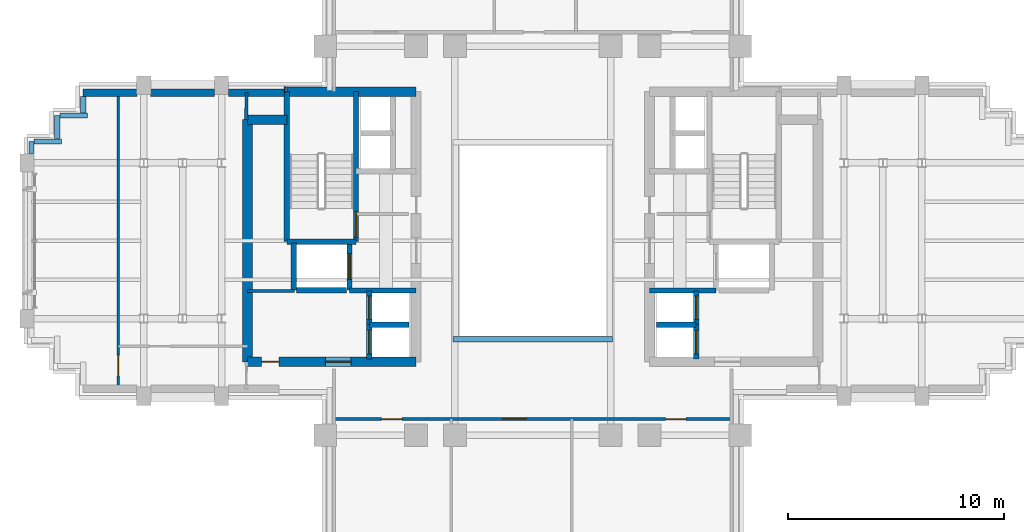
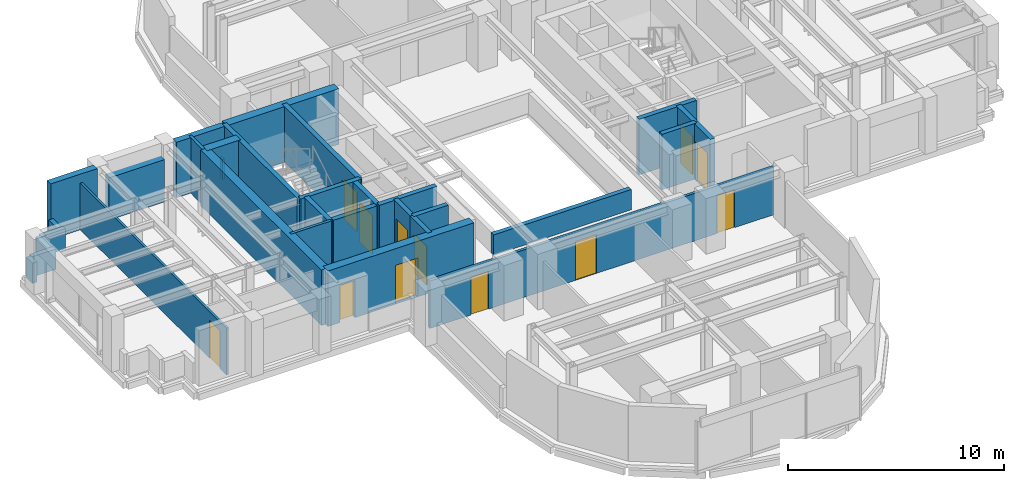
# One storey, part 8 of 13: 32 walls, 12 doors, 12 openings.
"""IFC4 building model written with IfcOpenShell, lengths in metres."""

from ifc_helpers import new_model, si_unit, direction, frame, frame_2d, origin, place, context, subcontext, project, spatial, rectangle, extrude, source, transform, mapped, material, layer, layer_set, type_object, element, fill, save


model = new_model("IFC4")

# Units and contexts
model_context = context("Model", 3, precision=1e-05, world=origin(), true_north=direction((0.0, 1.0)))
body_context = subcontext(model_context, "Body", "Model", "MODEL_VIEW")
ifc_project = project(units=[si_unit("LENGTHUNIT", "METRE"), si_unit("AREAUNIT", "SQUARE_METRE"), si_unit("VOLUMEUNIT", "CUBIC_METRE"), si_unit("PLANEANGLEUNIT", "RADIAN"), si_unit("MASSUNIT", "GRAM", prefix="KILO")], contexts=[model_context])

# Site, building, storey
site_placement = place(None, origin())
site = spatial("IfcSite", under=ifc_project, at=site_placement, CompositionType="ELEMENT")
building_placement = place(site_placement, origin())
building = spatial("IfcBuilding", under=site, at=building_placement, Name="Keilestroom Media Tower", CompositionType="ELEMENT")
storey_placement = place(building_placement, frame((0.0, 0.0, 148.199951171875)))
storey = spatial("IfcBuildingStorey", under=building, at=storey_placement, Name="L40", CompositionType="ELEMENT", Elevation=148.199951171875)

# Walls
ifc_material_1 = material(Name="Precast concrete C40/50", Category="concrete")
ifc_layer_1 = layer(ifc_material_1, 0.340087890625)
ifc_layer_set_1 = layer_set([ifc_layer_1], Name="Precast concrete C40/50")
wall_type_1 = type_object("IfcWallType", Name="Exterior-Masonry-Spandrel-Wall-340", PredefinedType="SOLIDWALL", material=ifc_layer_set_1)
wall_1_placement = place(storey_placement, frame((-20.800048828125, 6.85009765625, 0.0), z_axis=(0.0, 0.0, 1.0), x_axis=(1.0, 0.0, 0.0)))
element("IfcWall", 1, at=wall_1_placement, inside=storey, type_object=wall_type_1, Name="L40 Flank Masonry Wall EWL-L40-NW-1", PredefinedType="SOLIDWALL", context=body_context, shape_type="SweptSolid", body=[
    extrude(rectangle(XDim=2.483154296875, YDim=0.340087890625, at=frame_2d((1.24169921875, 0.0))), origin(), (0.0, 0.0, 1.0), 3.14013671875),
])
wall_2_placement = place(storey_placement, frame((-17.68310546875, 6.85009765625, 0.0), z_axis=(0.0, 0.0, 1.0), x_axis=(1.0, 0.0, 0.0)))
element("IfcWall", 2, at=wall_2_placement, inside=storey, type_object=wall_type_1, Name="L40 Flank Masonry Wall EWL-L40-NW-2", PredefinedType="SOLIDWALL", context=body_context, shape_type="SweptSolid", body=[
    extrude(rectangle(XDim=2.966064453125, YDim=0.340087890625, at=frame_2d((1.48291015625, 0.0))), origin(), (0.0, 0.0, 1.0), 2.39013671875),
])
wall_3_placement = place(storey_placement, frame((-14.0830078125, 6.85009765625, 0.0), z_axis=(0.0, 0.0, 1.0), x_axis=(1.0, 0.0, 0.0)))
element("IfcWall", 3, at=wall_3_placement, inside=storey, type_object=wall_type_1, Name="L40 Flank Masonry Wall EWL-L40-NW-3", PredefinedType="SOLIDWALL", context=body_context, shape_type="SweptSolid", body=[
    extrude(rectangle(XDim=2.5849609375, YDim=0.340087890625, at=frame_2d((1.29248046875, 0.0))), origin(), (0.0, 0.0, 1.0), 3.14013671875),
])

# Wall, opening, door
ifc_material_2 = material(Name="Gypsum Plasterboard & Steel Stud", Category="steel")
ifc_layer_2 = layer(ifc_material_2, 0.1201171875)
ifc_layer_set_2 = layer_set([ifc_layer_2], Name="Gypsum Plasterboard & Steel Stud")
wall_type_2 = type_object("IfcWallType", Name="Interior-Partition-Wall-120", PredefinedType="PARTITIONING", material=ifc_layer_set_2)
wall_4_placement = place(storey_placement, frame((-19.169921875, -6.85009765625, 0.0), z_axis=(0.0, 0.0, 1.0), x_axis=(0.0, 1.0, 0.0)))
wall_4 = element("IfcWall", 4, at=wall_4_placement, inside=storey, type_object=wall_type_2, Name="L40 Interior Wall WP-L40-WA-CE", PredefinedType="PARTITIONING", context=body_context, shape_type="SweptSolid", body=[
    extrude(rectangle(XDim=13.7001953125, YDim=0.1201171875, at=frame_2d((6.85009765625, 0.0))), origin(), (0.0, 0.0, 1.0), 2.64013671875),
])
opening_1_placement = place(wall_4_placement, frame((0.60009765625, 0.0, 0.0)))
opening_1 = element("IfcOpeningElement", 5, at=opening_1_placement, cuts=wall_4, Name="Opening DI-03", PredefinedType="OPENING", context=body_context, shape_type="SweptSolid", body=[
    extrude(rectangle(XDim=0.949951171875, YDim=2.14990234375, at=frame_2d((0.47509765625, 1.074951171875))), frame((0.0, 0.070068359375, 0.0), z_axis=(0.0, -1.0, 0.0), x_axis=(1.0, 0.0, 0.0)), (0.0, 0.0, 1.0), 0.14013671875),
])
ifc_material_3 = material(Name="Lacquered European Oak Leaf", Category="wood")
door_type_1 = type_object("IfcDoorType", Name="Interior-Room-And-Suite-Door-DI-03", OperationType="NOTDEFINED", PredefinedType="DOOR", material=ifc_material_3)
shared_shape_1 = source(origin(), body_context, "Body", "SweptSolid", [
    extrude(rectangle(XDim=0.949951171875, YDim=2.14990234375, at=frame_2d((0.47509765625, 1.074951171875))), frame((0.0, 0.02490234375, 0.0), z_axis=(0.0, -1.0, 0.0), x_axis=(1.0, 0.0, 0.0)), (0.0, 0.0, 1.0), 0.050048828125),
])
door_1_placement = place(opening_1_placement, origin())
door_1 = element("IfcDoor", 6, at=door_1_placement, inside=storey, type_object=door_type_1, Name="L40 Interior Door DI-L40-DWA-END", OperationType="SINGLE_SWING_LEFT", OverallHeight=2.14990234375, OverallWidth=0.949951171875, PredefinedType="DOOR", context=body_context, shape_type="MappedRepresentation", body=[
    mapped(shared_shape_1, transform((0.0, 0.0, 0.0), x_axis=(1.0, 0.0, 0.0), y_axis=(0.0, 1.0, 0.0), z_axis=(0.0, 0.0, 1.0), scale=1.0)),
])
fill(opening_1, door_1)

# Wall
ifc_layer_3 = layer(ifc_material_2, 0.14990234375)
ifc_layer_set_3 = layer_set([ifc_layer_3], Name="Gypsum Plasterboard & Steel Stud")
wall_type_3 = type_object("IfcWallType", Name="Interior-Partition-Wall-150", PredefinedType="PARTITIONING", material=ifc_layer_set_3)
wall_5_placement = place(storey_placement, frame((-13.199951171875, -2.320068359375, 0.0), z_axis=(0.0, 0.0, 1.0), x_axis=(1.0, 0.0, 0.0)))
element("IfcWall", 7, at=wall_5_placement, inside=storey, type_object=wall_type_3, Name="L40 Interior Wall WP-L40-RECLW-N", PredefinedType="PARTITIONING", context=body_context, shape_type="SweptSolid", body=[
    extrude(rectangle(XDim=2.179931640625, YDim=0.14990234375, at=frame_2d((1.08984375, 0.0))), origin(), (0.0, 0.0, 1.0), 3.14013671875),
])

# Wall, openings, doors
wall_6_placement = place(storey_placement, frame((-9.199951171875, -8.25, 0.0), z_axis=(0.0, 0.0, 1.0), x_axis=(1.0, 0.0, 0.0)))
wall_6 = element("IfcWall", 8, at=wall_6_placement, inside=storey, type_object=wall_type_3, Name="L40 Interior Wall WP-L40-SL-BASE", PredefinedType="PARTITIONING", context=body_context, shape_type="SweptSolid", body=[
    extrude(rectangle(XDim=18.39990234375, YDim=0.14990234375, at=frame_2d((9.199951171875, 0.0))), origin(), (0.0, 0.0, 1.0), 2.68994140625),
])
opening_2_placement = place(wall_6_placement, frame((2.199951171875, 0.0, 0.0)))
opening_2 = element("IfcOpeningElement", 9, at=opening_2_placement, cuts=wall_6, Name="Opening DI-03", PredefinedType="OPENING", context=body_context, shape_type="SweptSolid", body=[
    extrude(rectangle(XDim=0.949951171875, YDim=2.14990234375, at=frame_2d((0.47509765625, 1.074951171875))), frame((0.0, 0.0849609375, 0.0), z_axis=(0.0, -1.0, 0.0), x_axis=(1.0, 0.0, 0.0)), (0.0, 0.0, 1.0), 0.169921875),
])
opening_3_placement = place(wall_6_placement, frame((7.800048828125, 0.0, 0.0)))
opening_3 = element("IfcOpeningElement", 10, at=opening_3_placement, cuts=wall_6, Name="Opening DI-04", PredefinedType="OPENING", context=body_context, shape_type="SweptSolid", body=[
    extrude(rectangle(XDim=1.10009765625, YDim=2.199951171875, at=frame_2d((0.550048828125, 1.10009765625))), frame((0.0, 0.0849609375, 0.0), z_axis=(0.0, -1.0, 0.0), x_axis=(1.0, 0.0, 0.0)), (0.0, 0.0, 1.0), 0.169921875),
])
opening_4_placement = place(wall_6_placement, frame((15.35009765625, 0.0, 0.0)))
opening_4 = element("IfcOpeningElement", 11, at=opening_4_placement, cuts=wall_6, Name="Opening DI-03", PredefinedType="OPENING", context=body_context, shape_type="SweptSolid", body=[
    extrude(rectangle(XDim=0.949951171875, YDim=2.14990234375, at=frame_2d((0.47509765625, 1.074951171875))), frame((0.0, 0.0849609375, 0.0), z_axis=(0.0, -1.0, 0.0), x_axis=(1.0, 0.0, 0.0)), (0.0, 0.0, 1.0), 0.169921875),
])
door_2_placement = place(opening_2_placement, origin())
door_2 = element("IfcDoor", 12, at=door_2_placement, inside=storey, type_object=door_type_1, Name="L40 Interior Door DI-L40-DSL-1", OperationType="SINGLE_SWING_LEFT", OverallHeight=2.14990234375, OverallWidth=0.949951171875, PredefinedType="DOOR", context=body_context, shape_type="MappedRepresentation", body=[
    mapped(shared_shape_1, transform((0.0, 0.0, 0.0), x_axis=(1.0, 0.0, 0.0), y_axis=(0.0, 1.0, 0.0), z_axis=(0.0, 0.0, 1.0), scale=1.0)),
])
fill(opening_2, door_2)
door_3_placement = place(opening_4_placement, origin())
door_3 = element("IfcDoor", 13, at=door_3_placement, inside=storey, type_object=door_type_1, Name="L40 Interior Door DI-L40-DSL-3", OperationType="SINGLE_SWING_LEFT", OverallHeight=2.14990234375, OverallWidth=0.949951171875, PredefinedType="DOOR", context=body_context, shape_type="MappedRepresentation", body=[
    mapped(shared_shape_1, transform((0.0, 0.0, 0.0), x_axis=(1.0, 0.0, 0.0), y_axis=(0.0, 1.0, 0.0), z_axis=(0.0, 0.0, 1.0), scale=1.0)),
])
fill(opening_4, door_3)
ifc_material_4 = material(Name="Acoustic Glazed Aluminium Leaf", Category="aluminium")
door_type_2 = type_object("IfcDoorType", Name="Interior-Room-And-Suite-Door-DI-04", OperationType="NOTDEFINED", PredefinedType="DOOR", material=ifc_material_4)
shared_shape_2 = source(origin(), body_context, "Body", "SweptSolid", [
    extrude(rectangle(XDim=1.10009765625, YDim=2.199951171875, at=frame_2d((0.550048828125, 1.10009765625))), frame((0.0, 0.02490234375, 0.0), z_axis=(0.0, -1.0, 0.0), x_axis=(1.0, 0.0, 0.0)), (0.0, 0.0, 1.0), 0.050048828125),
])
door_4_placement = place(opening_3_placement, origin())
door_4 = element("IfcDoor", 14, at=door_4_placement, inside=storey, type_object=door_type_2, Name="L40 Interior Door DI-L40-DSL-2", OperationType="SINGLE_SWING_RIGHT", OverallHeight=2.199951171875, OverallWidth=1.10009765625, PredefinedType="DOOR", context=body_context, shape_type="MappedRepresentation", body=[
    mapped(shared_shape_2, transform((0.0, 0.0, 0.0), x_axis=(1.0, 0.0, 0.0), y_axis=(0.0, 1.0, 0.0), z_axis=(0.0, 0.0, 1.0), scale=1.0)),
])
fill(opening_3, door_4)

# Walls
wall_7_placement = place(storey_placement, frame((-13.260009765625, 5.60009765625, 0.0), z_axis=(0.0, 0.0, 1.0), x_axis=(0.016013571389, 0.999871774545, 0.0)))
element("IfcWall", 15, at=wall_7_placement, inside=storey, type_object=wall_type_3, Name="L40 Interior Wall WP-L40-WA-ENTN", PredefinedType="PARTITIONING", context=body_context, shape_type="SweptSolid", body=[
    extrude(rectangle(XDim=1.250244140625, YDim=0.14990234375, at=frame_2d((0.625, 0.0))), origin(), (0.0, 0.0, 1.0), 3.14013671875),
])
ifc_material_5 = material(Name="Concrete C55/67", Category="concrete")
ifc_layer_4 = layer(ifc_material_5, 0.449951171875)
ifc_layer_set_4 = layer_set([ifc_layer_4], Name="Concrete C55/67")
wall_type_4 = type_object("IfcWallType", Name="Reinforced-Concrete-Core-Shear-Wall-450", PredefinedType="SHEAR", material=ifc_layer_set_4)
wall_8_placement = place(storey_placement, frame((-13.199951171875, -5.60009765625, 0.0), z_axis=(0.0, 0.0, 1.0), x_axis=(0.0, 1.0, 0.0)))
element("IfcWall", 16, at=wall_8_placement, inside=storey, type_object=wall_type_4, Name="L40 Core Shear Wall WL-L40-CORE-W-OUT", PredefinedType="SHEAR", context=body_context, shape_type="SweptSolid", body=[
    extrude(rectangle(XDim=11.2001953125, YDim=0.449951171875, at=frame_2d((5.60009765625, 0.0))), origin(), (0.0, 0.0, 1.0), 3.14013671875),
])
wall_9_placement = place(storey_placement, frame((-11.381103515625, 6.89990234375, 0.0), z_axis=(0.0, 0.0, 1.0), x_axis=(1.0, 0.0, 0.0)))
element("IfcWall", 17, at=wall_9_placement, inside=storey, type_object=wall_type_4, Name="L40 Core Shear Wall WL-L40-CORE-W-N", PredefinedType="SHEAR", context=body_context, shape_type="SweptSolid", body=[
    extrude(rectangle(XDim=5.981201171875, YDim=0.449951171875, at=frame_2d((2.99072265625, 0.0))), origin(), (0.0, 0.0, 1.0), 3.14013671875),
])
wall_10_placement = place(storey_placement, frame((-13.199951171875, 5.60009765625, 0.0), z_axis=(0.0, 0.0, 1.0), x_axis=(1.0, 0.0, 0.0)))
element("IfcWall", 18, at=wall_10_placement, inside=storey, type_object=wall_type_4, Name="L40 Core Shear Wall WL-L40-CNW-N", PredefinedType="SHEAR", context=body_context, shape_type="SweptSolid", body=[
    extrude(rectangle(XDim=1.81884765625, YDim=0.449951171875, at=frame_2d((0.909423828125, 0.0))), origin(), (0.0, 0.0, 1.0), 3.14013671875),
])

# Wall, openings, doors
wall_11_placement = place(storey_placement, frame((-13.199951171875, -5.60009765625, 0.0), z_axis=(0.0, 0.0, 1.0), x_axis=(1.0, 0.0, 0.0)))
wall_11 = element("IfcWall", 19, at=wall_11_placement, inside=storey, type_object=wall_type_4, Name="L40 Core Shear Wall WL-L40-CORE-W-S", PredefinedType="SHEAR", context=body_context, shape_type="SweptSolid", body=[
    extrude(rectangle(XDim=7.800048828125, YDim=0.449951171875, at=frame_2d((3.89990234375, 0.0))), origin(), (0.0, 0.0, 1.0), 3.14013671875),
])
opening_5_placement = place(wall_11_placement, frame((3.60009765625, 0.0, 0.0)))
opening_5 = element("IfcOpeningElement", 20, at=opening_5_placement, cuts=wall_11, Name="Opening DI-02", PredefinedType="OPENING", context=body_context, shape_type="SweptSolid", body=[
    extrude(rectangle(XDim=1.199951171875, YDim=2.199951171875, at=frame_2d((0.60009765625, 1.10009765625))), frame((0.0, 0.23486328125, 0.0), z_axis=(0.0, -1.0, 0.0), x_axis=(1.0, 0.0, 0.0)), (0.0, 0.0, 1.0), 0.469970703125),
])
opening_6_placement = place(wall_11_placement, frame((0.64990234375, 0.0, 0.0)))
opening_6 = element("IfcOpeningElement", 21, at=opening_6_placement, cuts=wall_11, Name="Opening DI-06", PredefinedType="OPENING", context=body_context, shape_type="SweptSolid", body=[
    extrude(rectangle(XDim=0.800048828125, YDim=2.10009765625, at=frame_2d((0.39990234375, 1.050048828125))), frame((0.0, 0.23486328125, 0.0), z_axis=(0.0, -1.0, 0.0), x_axis=(1.0, 0.0, 0.0)), (0.0, 0.0, 1.0), 0.469970703125),
])
ifc_material_6 = material(Name="Powder-Coated Steel Fire Leaf", Category="steel")
door_type_3 = type_object("IfcDoorType", Name="Interior-Compartment-Fire-Door-DI-02", OperationType="NOTDEFINED", PredefinedType="DOOR", material=ifc_material_6)
shared_shape_3 = source(origin(), body_context, "Body", "SweptSolid", [
    extrude(rectangle(XDim=1.199951171875, YDim=2.199951171875, at=frame_2d((0.60009765625, 1.10009765625))), frame((0.0, 0.02490234375, 0.0), z_axis=(0.0, -1.0, 0.0), x_axis=(1.0, 0.0, 0.0)), (0.0, 0.0, 1.0), 0.050048828125),
])
door_5_placement = place(opening_5_placement, origin())
door_5 = element("IfcDoor", 22, at=door_5_placement, inside=storey, type_object=door_type_3, Name="L40 W Passenger Lift Lobby Door", OperationType="SINGLE_SWING_LEFT", OverallHeight=2.199951171875, OverallWidth=1.199951171875, PredefinedType="DOOR", context=body_context, shape_type="MappedRepresentation", body=[
    mapped(shared_shape_3, transform((0.0, 0.0, 0.0), x_axis=(1.0, 0.0, 0.0), y_axis=(0.0, 1.0, 0.0), z_axis=(0.0, 0.0, 1.0), scale=1.0)),
])
fill(opening_5, door_5)
ifc_material_7 = material(Name="Powder-Coated Steel Service Leaf", Category="steel")
door_type_4 = type_object("IfcDoorType", Name="Interior-Riser-Access-Door-DI-06", OperationType="NOTDEFINED", PredefinedType="DOOR", material=ifc_material_7)
shared_shape_4 = source(origin(), body_context, "Body", "SweptSolid", [
    extrude(rectangle(XDim=0.800048828125, YDim=2.10009765625, at=frame_2d((0.39990234375, 1.050048828125))), frame((0.0, 0.02490234375, 0.0), z_axis=(0.0, -1.0, 0.0), x_axis=(1.0, 0.0, 0.0)), (0.0, 0.0, 1.0), 0.050048828125),
])
door_6_placement = place(opening_6_placement, origin())
door_6 = element("IfcDoor", 23, at=door_6_placement, inside=storey, type_object=door_type_4, Name="L40 Reclaimed West Core Room Door", OperationType="SINGLE_SWING_LEFT", OverallHeight=2.10009765625, OverallWidth=0.800048828125, PredefinedType="DOOR", context=body_context, shape_type="MappedRepresentation", body=[
    mapped(shared_shape_4, transform((0.0, 0.0, 0.0), x_axis=(1.0, 0.0, 0.0), y_axis=(0.0, 1.0, 0.0), z_axis=(0.0, 0.0, 1.0), scale=1.0)),
])
fill(opening_6, door_6)

# Wall
ifc_material_8 = material(Name="Concrete C50/60", Category="concrete")
ifc_layer_5 = layer(ifc_material_8, 0.25)
ifc_layer_set_5 = layer_set([ifc_layer_5], Name="Concrete C50/60")
wall_type_5 = type_object("IfcWallType", Name="Reinforced-Concrete-Shaft-Wall-250", PredefinedType="SOLIDWALL", material=ifc_layer_set_5)
wall_12_placement = place(storey_placement, frame((-8.47998046875, -2.300048828125, 0.0), z_axis=(0.0, 0.0, 1.0), x_axis=(1.0, 0.0, 0.0)))
element("IfcWall", 24, at=wall_12_placement, inside=storey, type_object=wall_type_5, Name="L40 Core Shear Wall WL-L40-CORE-W-FFS", PredefinedType="SOLIDWALL", context=body_context, shape_type="SweptSolid", body=[
    extrude(rectangle(XDim=3.080078125, YDim=0.25, at=frame_2d((1.5400390625, 0.0))), origin(), (0.0, 0.0, 1.0), 3.14013671875),
])

# Wall, opening, door
wall_13_placement = place(storey_placement, frame((-8.178955078125, -0.041015625, 0.0), z_axis=(0.0, 0.0, 1.0), x_axis=(0.0, 1.0, 0.0)))
wall_13 = element("IfcWall", 25, at=wall_13_placement, inside=storey, type_object=wall_type_5, Name="L40 Core Shear Wall WL-L40-STW-W-NEAR", PredefinedType="SOLIDWALL", context=body_context, shape_type="SweptSolid", body=[
    extrude(rectangle(XDim=6.94091796875, YDim=0.25, at=frame_2d((3.470458984375, 0.0))), origin(), (0.0, 0.0, 1.0), 3.14013671875),
])
opening_7_placement = place(wall_13_placement, frame((0.199951171875, 0.0, 0.0)))
opening_7 = element("IfcOpeningElement", 26, at=opening_7_placement, cuts=wall_13, Name="Opening DI-01S", PredefinedType="OPENING", context=body_context, shape_type="SweptSolid", body=[
    extrude(rectangle(XDim=1.199951171875, YDim=2.199951171875, at=frame_2d((0.60009765625, 1.10009765625))), frame((0.0, 0.135009765625, 0.0), z_axis=(0.0, -1.0, 0.0), x_axis=(1.0, 0.0, 0.0)), (0.0, 0.0, 1.0), 0.27001953125),
])
door_type_5 = type_object("IfcDoorType", Name="Interior-Stair-And-Core-Fire-Door-DI-01", OperationType="NOTDEFINED", PredefinedType="DOOR", material=ifc_material_6)
door_7_placement = place(opening_7_placement, origin())
door_7 = element("IfcDoor", 27, at=door_7_placement, inside=storey, type_object=door_type_5, Name="L40 Escape Stair ST-1 Fire Door", OperationType="SINGLE_SWING_LEFT", OverallHeight=2.199951171875, OverallWidth=1.199951171875, PredefinedType="DOOR", context=body_context, shape_type="MappedRepresentation", body=[
    mapped(shared_shape_3, transform((0.0, 0.0, 0.0), x_axis=(1.0, 0.0, 0.0), y_axis=(0.0, 1.0, 0.0), z_axis=(0.0, 0.0, 1.0), scale=1.0)),
])
fill(opening_7, door_7)

# Walls
wall_14_placement = place(storey_placement, frame((-11.381103515625, -0.041015625, 0.0), z_axis=(0.0, 0.0, 1.0), x_axis=(0.0, 1.0, 0.0)))
element("IfcWall", 28, at=wall_14_placement, inside=storey, type_object=wall_type_5, Name="L40 Core Shear Wall WL-L40-STW-W-FAR", PredefinedType="SOLIDWALL", context=body_context, shape_type="SweptSolid", body=[
    extrude(rectangle(XDim=6.94091796875, YDim=0.25, at=frame_2d((3.470458984375, 0.0))), origin(), (0.0, 0.0, 1.0), 3.14013671875),
])
wall_15_placement = place(storey_placement, frame((-11.381103515625, -0.041015625, 0.0), z_axis=(0.0, 0.0, 1.0), x_axis=(1.0, 0.0, 0.0)))
element("IfcWall", 29, at=wall_15_placement, inside=storey, type_object=wall_type_5, Name="L40 Core Shear Wall WL-L40-STW-W-S", PredefinedType="SOLIDWALL", context=body_context, shape_type="SweptSolid", body=[
    extrude(rectangle(XDim=3.2021484375, YDim=0.25, at=frame_2d((1.60107421875, 0.0))), origin(), (0.0, 0.0, 1.0), 3.14013671875),
])
wall_16_placement = place(storey_placement, frame((5.39990234375, -2.300048828125, 0.0), z_axis=(0.0, 0.0, 1.0), x_axis=(1.0, 0.0, 0.0)))
element("IfcWall", 30, at=wall_16_placement, inside=storey, type_object=wall_type_5, Name="L40 Core Shear Wall WL-L40-CORE-E-FFS", PredefinedType="SOLIDWALL", context=body_context, shape_type="SweptSolid", body=[
    extrude(rectangle(XDim=3.080078125, YDim=0.25, at=frame_2d((1.5400390625, 0.0))), origin(), (0.0, 0.0, 1.0), 3.14013671875),
])
wall_17_placement = place(storey_placement, frame((-11.050048828125, -2.280029296875, 0.0), z_axis=(0.0, 0.0, 1.0), x_axis=(0.0, 1.0, 0.0)))
element("IfcWall", 31, at=wall_17_placement, inside=storey, type_object=wall_type_5, Name="L40 Core Shear Wall WL-L40-LSH-FFL-1-W", PredefinedType="SOLIDWALL", context=body_context, shape_type="SweptSolid", body=[
    extrude(rectangle(XDim=2.179931640625, YDim=0.25, at=frame_2d((1.08984375, 0.0))), origin(), (0.0, 0.0, 1.0), 3.14013671875),
])

# Wall, opening, door
wall_18_placement = place(storey_placement, frame((-8.47998046875, -2.280029296875, 0.0), z_axis=(0.0, 0.0, 1.0), x_axis=(0.0, 1.0, 0.0)))
wall_18 = element("IfcWall", 32, at=wall_18_placement, inside=storey, type_object=wall_type_5, Name="L40 Core Shear Wall WL-L40-LSH-FFL-1-E", PredefinedType="SOLIDWALL", context=body_context, shape_type="SweptSolid", body=[
    extrude(rectangle(XDim=2.179931640625, YDim=0.25, at=frame_2d((1.08984375, 0.0))), origin(), (0.0, 0.0, 1.0), 3.14013671875),
])
opening_8_placement = place(wall_18_placement, frame((0.489990234375, 0.0, 0.0)))
opening_8 = element("IfcOpeningElement", 33, at=opening_8_placement, cuts=wall_18, Name="Opening LD-02", PredefinedType="OPENING", context=body_context, shape_type="SweptSolid", body=[
    extrude(rectangle(XDim=1.199951171875, YDim=2.199951171875, at=frame_2d((0.60009765625, 1.10009765625))), frame((0.0, 0.135009765625, 0.0), z_axis=(0.0, -1.0, 0.0), x_axis=(1.0, 0.0, 0.0)), (0.0, 0.0, 1.0), 0.27001953125),
])
ifc_material_9 = material(Name="Brushed Stainless Steel Sliding Leaf", Category="steel")
door_type_6 = type_object("IfcDoorType", Name="Lift-Landing-Sliding-Door-LD-02", OperationType="SLIDING_TO_RIGHT", PredefinedType="DOOR", material=ifc_material_9)
door_8_placement = place(opening_8_placement, origin())
door_8 = element("IfcDoor", 34, at=door_8_placement, inside=storey, type_object=door_type_6, Name="L40 Lift FFL-1 Landing Sliding Door", OperationType="SLIDING_TO_RIGHT", OverallHeight=2.199951171875, OverallWidth=1.199951171875, PredefinedType="DOOR", context=body_context, shape_type="MappedRepresentation", body=[
    mapped(shared_shape_3, transform((0.0, 0.0, 0.0), x_axis=(1.0, 0.0, 0.0), y_axis=(0.0, 1.0, 0.0), z_axis=(0.0, 0.0, 1.0), scale=1.0)),
])
fill(opening_8, door_8)

# Wall
wall_19_placement = place(storey_placement, frame((-10.9208984375, -2.280029296875, 0.0), z_axis=(0.0, 0.0, 1.0), x_axis=(1.0, 0.0, 0.0)))
element("IfcWall", 35, at=wall_19_placement, inside=storey, type_object=wall_type_5, Name="L40 Core Shear Wall WL-L40-LSH-FFL-1-S", PredefinedType="SOLIDWALL", context=body_context, shape_type="SweptSolid", body=[
    extrude(rectangle(XDim=2.31201171875, YDim=0.25, at=frame_2d((1.156005859375, 0.0))), origin(), (0.0, 0.0, 1.0), 3.14013671875),
])

# Wall, opening, door
wall_20_placement = place(storey_placement, frame((-7.56005859375, -5.47998046875, 0.0), z_axis=(0.0, 0.0, 1.0), x_axis=(0.0, 1.0, 0.0)))
wall_20 = element("IfcWall", 36, at=wall_20_placement, inside=storey, type_object=wall_type_5, Name="L40 Core Shear Wall WL-L40-LSH-PL-M1-W", PredefinedType="SOLIDWALL", context=body_context, shape_type="SweptSolid", body=[
    extrude(rectangle(XDim=1.60009765625, YDim=0.25, at=frame_2d((0.800048828125, 0.0))), origin(), (0.0, 0.0, 1.0), 3.14013671875),
])
opening_9_placement = place(wall_20_placement, frame((0.25, 0.0, 0.0)))
opening_9 = element("IfcOpeningElement", 37, at=opening_9_placement, cuts=wall_20, Name="Opening LD-01", PredefinedType="OPENING", context=body_context, shape_type="SweptSolid", body=[
    extrude(rectangle(XDim=1.10009765625, YDim=2.199951171875, at=frame_2d((0.550048828125, 1.10009765625))), frame((0.0, 0.135009765625, 0.0), z_axis=(0.0, -1.0, 0.0), x_axis=(1.0, 0.0, 0.0)), (0.0, 0.0, 1.0), 0.27001953125),
])
door_type_7 = type_object("IfcDoorType", Name="Lift-Landing-Sliding-Door-LD-01", OperationType="SLIDING_TO_LEFT", PredefinedType="DOOR", material=ifc_material_9)
door_9_placement = place(opening_9_placement, origin())
door_9 = element("IfcDoor", 38, at=door_9_placement, inside=storey, type_object=door_type_7, Name="L40 Lift PL-M1 Landing Sliding Door", OperationType="SLIDING_TO_LEFT", OverallHeight=2.199951171875, OverallWidth=1.10009765625, PredefinedType="DOOR", context=body_context, shape_type="MappedRepresentation", body=[
    mapped(shared_shape_2, transform((0.0, 0.0, 0.0), x_axis=(1.0, 0.0, 0.0), y_axis=(0.0, 1.0, 0.0), z_axis=(0.0, 0.0, 1.0), scale=1.0)),
])
fill(opening_9, door_9)

# Wall
wall_21_placement = place(storey_placement, frame((-7.56005859375, -3.8798828125, 0.0), z_axis=(0.0, 0.0, 1.0), x_axis=(1.0, 0.0, 0.0)))
element("IfcWall", 39, at=wall_21_placement, inside=storey, type_object=wall_type_5, Name="L40 Core Shear Wall WL-L40-LSH-PL-M1-N", PredefinedType="SOLIDWALL", context=body_context, shape_type="SweptSolid", body=[
    extrude(rectangle(XDim=1.840087890625, YDim=0.25, at=frame_2d((0.919921875, 0.0))), origin(), (0.0, 0.0, 1.0), 3.14013671875),
])

# Wall, opening, door
wall_22_placement = place(storey_placement, frame((-7.56005859375, -3.8798828125, 0.0), z_axis=(0.0, 0.0, 1.0), x_axis=(0.0, 1.0, 0.0)))
wall_22 = element("IfcWall", 40, at=wall_22_placement, inside=storey, type_object=wall_type_5, Name="L40 Core Shear Wall WL-L40-LSH-PL-M2-W", PredefinedType="SOLIDWALL", context=body_context, shape_type="SweptSolid", body=[
    extrude(rectangle(XDim=1.559814453125, YDim=0.25, at=frame_2d((0.77978515625, 0.0))), origin(), (0.0, 0.0, 1.0), 3.14013671875),
])
opening_10_placement = place(wall_22_placement, frame((0.22998046875, 0.0, 0.0)))
opening_10 = element("IfcOpeningElement", 41, at=opening_10_placement, cuts=wall_22, Name="Opening LD-01", PredefinedType="OPENING", context=body_context, shape_type="SweptSolid", body=[
    extrude(rectangle(XDim=1.10009765625, YDim=2.199951171875, at=frame_2d((0.550048828125, 1.10009765625))), frame((0.0, 0.135009765625, 0.0), z_axis=(0.0, -1.0, 0.0), x_axis=(1.0, 0.0, 0.0)), (0.0, 0.0, 1.0), 0.27001953125),
])
door_10_placement = place(opening_10_placement, origin())
door_10 = element("IfcDoor", 42, at=door_10_placement, inside=storey, type_object=door_type_7, Name="L40 Lift PL-M2 Landing Sliding Door", OperationType="SLIDING_TO_LEFT", OverallHeight=2.199951171875, OverallWidth=1.10009765625, PredefinedType="DOOR", context=body_context, shape_type="MappedRepresentation", body=[
    mapped(shared_shape_2, transform((0.0, 0.0, 0.0), x_axis=(1.0, 0.0, 0.0), y_axis=(0.0, 1.0, 0.0), z_axis=(0.0, 0.0, 1.0), scale=1.0)),
])
fill(opening_10, door_10)

wall_23_placement = place(storey_placement, frame((7.56005859375, -5.47998046875, 0.0), z_axis=(0.0, 0.0, 1.0), x_axis=(0.0, 1.0, 0.0)))
wall_23 = element("IfcWall", 43, at=wall_23_placement, inside=storey, type_object=wall_type_5, Name="L40 Core Shear Wall WL-L40-LSH-PL-M3-E", PredefinedType="SOLIDWALL", context=body_context, shape_type="SweptSolid", body=[
    extrude(rectangle(XDim=1.60009765625, YDim=0.25, at=frame_2d((0.800048828125, 0.0))), origin(), (0.0, 0.0, 1.0), 3.14013671875),
])
opening_11_placement = place(wall_23_placement, frame((0.25, 0.0, 0.0)))
opening_11 = element("IfcOpeningElement", 44, at=opening_11_placement, cuts=wall_23, Name="Opening LD-01", PredefinedType="OPENING", context=body_context, shape_type="SweptSolid", body=[
    extrude(rectangle(XDim=1.10009765625, YDim=2.199951171875, at=frame_2d((0.550048828125, 1.10009765625))), frame((0.0, 0.135009765625, 0.0), z_axis=(0.0, -1.0, 0.0), x_axis=(1.0, 0.0, 0.0)), (0.0, 0.0, 1.0), 0.27001953125),
])
door_11_placement = place(opening_11_placement, origin())
door_11 = element("IfcDoor", 45, at=door_11_placement, inside=storey, type_object=door_type_7, Name="L40 Lift PL-M3 Landing Sliding Door", OperationType="SLIDING_TO_LEFT", OverallHeight=2.199951171875, OverallWidth=1.10009765625, PredefinedType="DOOR", context=body_context, shape_type="MappedRepresentation", body=[
    mapped(shared_shape_2, transform((0.0, 0.0, 0.0), x_axis=(1.0, 0.0, 0.0), y_axis=(0.0, 1.0, 0.0), z_axis=(0.0, 0.0, 1.0), scale=1.0)),
])
fill(opening_11, door_11)

# Wall
wall_24_placement = place(storey_placement, frame((5.719970703125, -3.8798828125, 0.0), z_axis=(0.0, 0.0, 1.0), x_axis=(1.0, 0.0, 0.0)))
element("IfcWall", 46, at=wall_24_placement, inside=storey, type_object=wall_type_5, Name="L40 Core Shear Wall WL-L40-LSH-PL-M3-N", PredefinedType="SOLIDWALL", context=body_context, shape_type="SweptSolid", body=[
    extrude(rectangle(XDim=1.840087890625, YDim=0.25, at=frame_2d((0.919921875, 0.0))), origin(), (0.0, 0.0, 1.0), 3.14013671875),
])

# Wall, opening, door
wall_25_placement = place(storey_placement, frame((7.56005859375, -3.8798828125, 0.0), z_axis=(0.0, 0.0, 1.0), x_axis=(0.0, 1.0, 0.0)))
wall_25 = element("IfcWall", 47, at=wall_25_placement, inside=storey, type_object=wall_type_5, Name="L40 Core Shear Wall WL-L40-LSH-PL-M4-E", PredefinedType="SOLIDWALL", context=body_context, shape_type="SweptSolid", body=[
    extrude(rectangle(XDim=1.559814453125, YDim=0.25, at=frame_2d((0.77978515625, 0.0))), origin(), (0.0, 0.0, 1.0), 3.14013671875),
])
opening_12_placement = place(wall_25_placement, frame((0.22998046875, 0.0, 0.0)))
opening_12 = element("IfcOpeningElement", 48, at=opening_12_placement, cuts=wall_25, Name="Opening LD-01", PredefinedType="OPENING", context=body_context, shape_type="SweptSolid", body=[
    extrude(rectangle(XDim=1.10009765625, YDim=2.199951171875, at=frame_2d((0.550048828125, 1.10009765625))), frame((0.0, 0.135009765625, 0.0), z_axis=(0.0, -1.0, 0.0), x_axis=(1.0, 0.0, 0.0)), (0.0, 0.0, 1.0), 0.27001953125),
])
door_12_placement = place(opening_12_placement, origin())
door_12 = element("IfcDoor", 49, at=door_12_placement, inside=storey, type_object=door_type_7, Name="L40 Lift PL-M4 Landing Sliding Door", OperationType="SLIDING_TO_LEFT", OverallHeight=2.199951171875, OverallWidth=1.10009765625, PredefinedType="DOOR", context=body_context, shape_type="MappedRepresentation", body=[
    mapped(shared_shape_2, transform((0.0, 0.0, 0.0), x_axis=(1.0, 0.0, 0.0), y_axis=(0.0, 1.0, 0.0), z_axis=(0.0, 0.0, 1.0), scale=1.0)),
])
fill(opening_12, door_12)

# Walls
ifc_layer_6 = layer(ifc_material_1, 0.239990234375)
ifc_layer_set_6 = layer_set([ifc_layer_6], Name="Precast concrete C40/50")
wall_type_6 = type_object("IfcWallType", Name="Roof-And-Terrace-Parapet-Wall-240", PredefinedType="PARAPET", material=ifc_layer_set_6)
wall_26_placement = place(storey_placement, frame((-23.199951171875, 4.028076171875, 0.0), z_axis=(0.0, 0.0, 1.0), x_axis=(0.0, 1.0, 0.0)))
element("IfcWall", 50, at=wall_26_placement, inside=storey, type_object=wall_type_6, Name="L40 Perimeter Edge Parapet Wall 17", PredefinedType="PARAPET", context=body_context, shape_type="SweptSolid", body=[
    extrude(rectangle(XDim=0.572021484375, YDim=0.239990234375, at=frame_2d((0.2861328125, 0.0))), origin(), (0.0, 0.0, 1.0), 1.150146484375),
])
wall_27_placement = place(storey_placement, frame((-23.076904296875, 4.60009765625, 0.0), z_axis=(0.0, 0.0, 1.0), x_axis=(1.0, 0.0, 0.0)))
element("IfcWall", 51, at=wall_27_placement, inside=storey, type_object=wall_type_6, Name="L40 Perimeter Edge Parapet Wall 18", PredefinedType="PARAPET", context=body_context, shape_type="SweptSolid", body=[
    extrude(rectangle(XDim=1.27685546875, YDim=0.239990234375, at=frame_2d((0.638427734375, 0.0))), origin(), (0.0, 0.0, 1.0), 1.150146484375),
])
wall_28_placement = place(storey_placement, frame((-22.0, 4.722900390625, 0.0), z_axis=(0.0, 0.0, 1.0), x_axis=(0.0, 1.0, 0.0)))
element("IfcWall", 52, at=wall_28_placement, inside=storey, type_object=wall_type_6, Name="L40 Perimeter Edge Parapet Wall 19", PredefinedType="PARAPET", context=body_context, shape_type="SweptSolid", body=[
    extrude(rectangle(XDim=1.0771484375, YDim=0.239990234375, at=frame_2d((0.53857421875, 0.0))), origin(), (0.0, 0.0, 1.0), 1.150146484375),
])
wall_29_placement = place(storey_placement, frame((-21.876953125, 5.800048828125, 0.0), z_axis=(0.0, 0.0, 1.0), x_axis=(1.0, 0.0, 0.0)))
element("IfcWall", 53, at=wall_29_placement, inside=storey, type_object=wall_type_6, Name="L40 Perimeter Edge Parapet Wall 20", PredefinedType="PARAPET", context=body_context, shape_type="SweptSolid", body=[
    extrude(rectangle(XDim=1.27685546875, YDim=0.239990234375, at=frame_2d((0.638427734375, 0.0))), origin(), (0.0, 0.0, 1.0), 1.150146484375),
])
wall_30_placement = place(storey_placement, frame((-20.800048828125, 5.923095703125, 0.0), z_axis=(0.0, 0.0, 1.0), x_axis=(0.0, 1.0, 0.0)))
element("IfcWall", 54, at=wall_30_placement, inside=storey, type_object=wall_type_6, Name="L40 Perimeter Edge Parapet Wall 21", PredefinedType="PARAPET", context=body_context, shape_type="SweptSolid", body=[
    extrude(rectangle(XDim=0.75390625, YDim=0.239990234375, at=frame_2d((0.376953125, 0.0))), origin(), (0.0, 0.0, 1.0), 1.150146484375),
])
wall_31_placement = place(storey_placement, frame((-11.4951171875, 7.0, 0.0), z_axis=(0.0, 0.0, 1.0), x_axis=(1.0, 0.0, 0.0)))
element("IfcWall", 55, at=wall_31_placement, inside=storey, type_object=wall_type_6, Name="L40 Perimeter Edge Parapet Wall 22", PredefinedType="PARAPET", context=body_context, shape_type="SweptSolid", body=[
    extrude(rectangle(XDim=0.092041015625, YDim=0.239990234375, at=frame_2d((0.0458984375, 0.0))), origin(), (0.0, 0.0, 1.0), 1.150146484375),
])
wall_32_placement = place(storey_placement, frame((-3.679931640625, -4.56005859375, 0.0), z_axis=(0.0, 0.0, 1.0), x_axis=(1.0, 0.0, 0.0)))
element("IfcWall", 56, at=wall_32_placement, inside=storey, type_object=wall_type_6, Name="L40 Central Atrium Guard Parapet S", PredefinedType="PARAPET", context=body_context, shape_type="SweptSolid", body=[
    extrude(rectangle(XDim=7.35986328125, YDim=0.239990234375, at=frame_2d((3.679931640625, 0.0))), origin(), (0.0, 0.0, 1.0), 1.150146484375),
])

save(model, "model.ifc")
